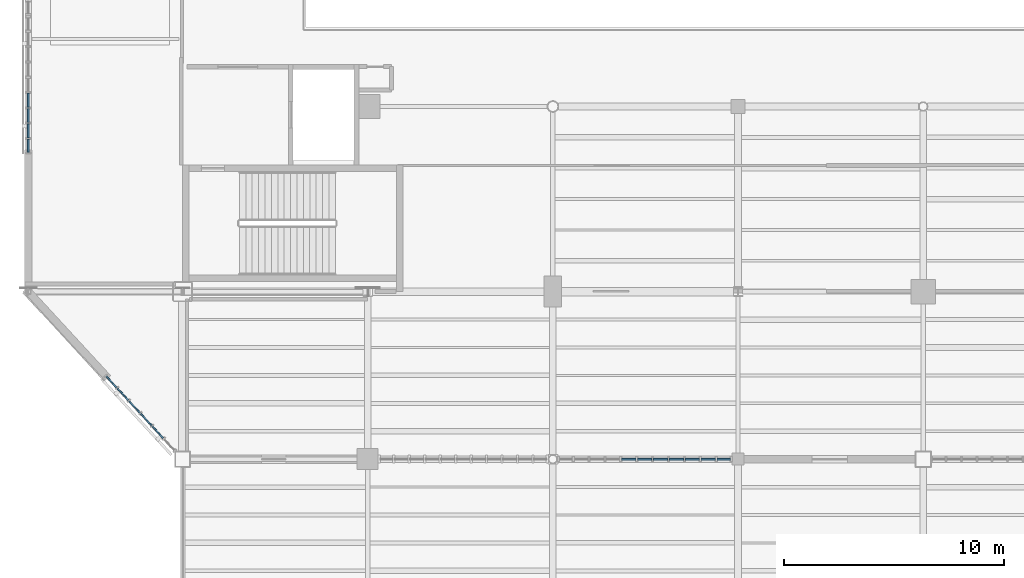
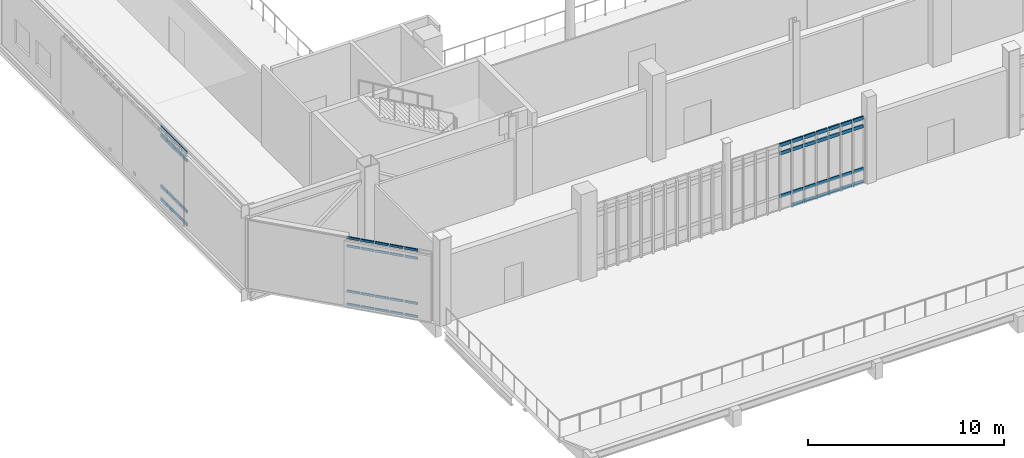
# One storey, part 46 of 127: 63 members, 3 elements without a shape of their own.
"""IFC4 building model written with IfcOpenShell, lengths in metres."""

from ifc_helpers import new_model, si_unit, direction, frame, origin, origin_2d, place, context, subcontext, project, spatial, rectangle, extrude, material, material_profile, profile_set, type_object, element, aggregate, save


model = new_model("IFC4")

# Units and contexts
model_context = context("Model", 3, precision=1e-05, world=origin(), true_north=direction((0.0, 1.0)))
body_context = subcontext(model_context, "Body", "Model", "MODEL_VIEW")
ifc_project = project(units=[si_unit("LENGTHUNIT", "METRE"), si_unit("AREAUNIT", "SQUARE_METRE"), si_unit("VOLUMEUNIT", "CUBIC_METRE"), si_unit("PLANEANGLEUNIT", "RADIAN"), si_unit("MASSUNIT", "GRAM", prefix="KILO")], contexts=[model_context])

# Site, building, storey
site_placement = place(None, origin())
site = spatial("IfcSite", under=ifc_project, at=site_placement, CompositionType="ELEMENT")
building_placement = place(site_placement, origin())
building = spatial("IfcBuilding", under=site, at=building_placement, Name="Larkvane Passage Sports Hall", CompositionType="ELEMENT")
storey_placement = place(building_placement, frame((0.0, 0.0, 5.39990234375)))
storey = spatial("IfcBuildingStorey", under=building, at=storey_placement, Name="L01", CompositionType="ELEMENT", Elevation=5.39990234375)

# Curtain wall, members
ifc_material_1 = material(Name="Thermally broken aluminium and low-E glazing", Category="aluminium")
curtain_wall_type_1 = type_object("IfcCurtainWallType", Name="CW-UNIT-COURT", PredefinedType="USERDEFINED", material=ifc_material_1)
curtain_wall_1_placement = place(storey_placement, origin())
curtain_wall_1 = element("IfcCurtainWall", 1, at=curtain_wall_1_placement, inside=storey, type_object=curtain_wall_type_1, Name="Curtain wall CW5-L01-032", ObjectType="UNITISED CURTAIN WALL", PredefinedType="USERDEFINED")
ifc_material_2 = material(Name="Anodised aluminium 6063-T6", Category="aluminium")
ifc_material_profile_1 = material_profile(ifc_material_2, rectangle(XDim=0.06494140625, YDim=0.139892578125, at=origin_2d()), Name="ALU-TRN-65x140")
ifc_profile_set_1 = profile_set([ifc_material_profile_1], Name="Anodised aluminium 6063-T6")
member_type_1 = type_object("IfcMemberType", Name="CW-TRN-65x140", PredefinedType="USERDEFINED", material=ifc_profile_set_1)
member_1_placement = place(storey_placement, frame((33.917724609375, 16.157958984375, 0.03271484375), z_axis=(-0.677456288697, 0.735563033944, 0.0), x_axis=(-0.735563033944, -0.677456288697, 0.0)))
member_1 = element("IfcMember", 2, at=member_1_placement, type_object=member_type_1, Name="CW-01 transom 2.1", ObjectType="TRANSOM", PredefinedType="USERDEFINED", context=body_context, shape_type="SweptSolid", body=[
    extrude(rectangle(XDim=0.06494140625, YDim=0.139892578125, at=origin_2d()), origin(), (0.0, 0.0, 1.0), 0.71435546875),
])
member_2_placement = place(storey_placement, frame((33.917724609375, 16.157958984375, 0.85009765625), z_axis=(-0.677456288697, 0.735563033944, 0.0), x_axis=(-0.735563033944, -0.677456288697, 0.0)))
member_2 = element("IfcMember", 3, at=member_2_placement, type_object=member_type_1, Name="CW-01 transom 2.2", ObjectType="TRANSOM", PredefinedType="USERDEFINED", context=body_context, shape_type="SweptSolid", body=[
    extrude(rectangle(XDim=0.06494140625, YDim=0.139892578125, at=origin_2d()), origin(), (0.0, 0.0, 1.0), 0.71435546875),
])
member_3_placement = place(storey_placement, frame((33.917724609375, 16.157958984375, 3.668212890625), z_axis=(-0.677456288697, 0.735563033944, 0.0), x_axis=(-0.735563033944, -0.677456288697, 0.0)))
member_3 = element("IfcMember", 4, at=member_3_placement, type_object=member_type_1, Name="CW-01 transom 2.3", ObjectType="TRANSOM", PredefinedType="USERDEFINED", context=body_context, shape_type="SweptSolid", body=[
    extrude(rectangle(XDim=0.06494140625, YDim=0.139892578125, at=origin_2d()), origin(), (0.0, 0.0, 1.0), 0.71435546875),
])
member_4_placement = place(storey_placement, frame((33.917724609375, 16.157958984375, 4.185546875), z_axis=(-0.677456288697, 0.735563033944, 0.0), x_axis=(-0.735563033944, -0.677456288697, 0.0)))
member_4 = element("IfcMember", 5, at=member_4_placement, type_object=member_type_1, Name="CW-01 transom 2.4", ObjectType="TRANSOM", PredefinedType="USERDEFINED", context=body_context, shape_type="SweptSolid", body=[
    extrude(rectangle(XDim=0.06494140625, YDim=0.139892578125, at=origin_2d()), origin(), (0.0, 0.0, 1.0), 0.71435546875),
])
member_5_placement = place(storey_placement, frame((33.389892578125, 16.731201171875, 0.03271484375), z_axis=(-0.677641158756, 0.735392724984, 0.0), x_axis=(-0.735392724984, -0.677641158756, 0.0)))
member_5 = element("IfcMember", 6, at=member_5_placement, type_object=member_type_1, Name="CW-01 transom 3.1", ObjectType="TRANSOM", PredefinedType="USERDEFINED", context=body_context, shape_type="SweptSolid", body=[
    extrude(rectangle(XDim=0.06494140625, YDim=0.139892578125, at=origin_2d()), origin(), (0.0, 0.0, 1.0), 0.71435546875),
])
member_6_placement = place(storey_placement, frame((33.389892578125, 16.731201171875, 0.85009765625), z_axis=(-0.677641158756, 0.735392724984, 0.0), x_axis=(-0.735392724984, -0.677641158756, 0.0)))
member_6 = element("IfcMember", 7, at=member_6_placement, type_object=member_type_1, Name="CW-01 transom 3.2", ObjectType="TRANSOM", PredefinedType="USERDEFINED", context=body_context, shape_type="SweptSolid", body=[
    extrude(rectangle(XDim=0.06494140625, YDim=0.139892578125, at=origin_2d()), origin(), (0.0, 0.0, 1.0), 0.71435546875),
])
member_7_placement = place(storey_placement, frame((33.389892578125, 16.731201171875, 3.668212890625), z_axis=(-0.677641158756, 0.735392724984, 0.0), x_axis=(-0.735392724984, -0.677641158756, 0.0)))
member_7 = element("IfcMember", 8, at=member_7_placement, type_object=member_type_1, Name="CW-01 transom 3.3", ObjectType="TRANSOM", PredefinedType="USERDEFINED", context=body_context, shape_type="SweptSolid", body=[
    extrude(rectangle(XDim=0.06494140625, YDim=0.139892578125, at=origin_2d()), origin(), (0.0, 0.0, 1.0), 0.71435546875),
])
member_8_placement = place(storey_placement, frame((33.389892578125, 16.731201171875, 4.185546875), z_axis=(-0.677641158756, 0.735392724984, 0.0), x_axis=(-0.735392724984, -0.677641158756, 0.0)))
member_8 = element("IfcMember", 9, at=member_8_placement, type_object=member_type_1, Name="CW-01 transom 3.4", ObjectType="TRANSOM", PredefinedType="USERDEFINED", context=body_context, shape_type="SweptSolid", body=[
    extrude(rectangle(XDim=0.06494140625, YDim=0.139892578125, at=origin_2d()), origin(), (0.0, 0.0, 1.0), 0.71435546875),
])
member_9_placement = place(storey_placement, frame((32.86181640625, 17.30419921875, 0.03271484375), z_axis=(-0.677456288697, 0.735563033944, 0.0), x_axis=(-0.735563033944, -0.677456288697, 0.0)))
member_9 = element("IfcMember", 10, at=member_9_placement, type_object=member_type_1, Name="CW-01 transom 4.1", ObjectType="TRANSOM", PredefinedType="USERDEFINED", context=body_context, shape_type="SweptSolid", body=[
    extrude(rectangle(XDim=0.06494140625, YDim=0.139892578125, at=origin_2d()), origin(), (0.0, 0.0, 1.0), 0.71435546875),
])
member_10_placement = place(storey_placement, frame((32.86181640625, 17.30419921875, 0.85009765625), z_axis=(-0.677456288697, 0.735563033944, 0.0), x_axis=(-0.735563033944, -0.677456288697, 0.0)))
member_10 = element("IfcMember", 11, at=member_10_placement, type_object=member_type_1, Name="CW-01 transom 4.2", ObjectType="TRANSOM", PredefinedType="USERDEFINED", context=body_context, shape_type="SweptSolid", body=[
    extrude(rectangle(XDim=0.06494140625, YDim=0.139892578125, at=origin_2d()), origin(), (0.0, 0.0, 1.0), 0.71435546875),
])
member_11_placement = place(storey_placement, frame((32.86181640625, 17.30419921875, 3.668212890625), z_axis=(-0.677456288697, 0.735563033944, 0.0), x_axis=(-0.735563033944, -0.677456288697, 0.0)))
member_11 = element("IfcMember", 12, at=member_11_placement, type_object=member_type_1, Name="CW-01 transom 4.3", ObjectType="TRANSOM", PredefinedType="USERDEFINED", context=body_context, shape_type="SweptSolid", body=[
    extrude(rectangle(XDim=0.06494140625, YDim=0.139892578125, at=origin_2d()), origin(), (0.0, 0.0, 1.0), 0.71435546875),
])
member_12_placement = place(storey_placement, frame((32.86181640625, 17.30419921875, 4.185546875), z_axis=(-0.677456288697, 0.735563033944, 0.0), x_axis=(-0.735563033944, -0.677456288697, 0.0)))
member_12 = element("IfcMember", 13, at=member_12_placement, type_object=member_type_1, Name="CW-01 transom 4.4", ObjectType="TRANSOM", PredefinedType="USERDEFINED", context=body_context, shape_type="SweptSolid", body=[
    extrude(rectangle(XDim=0.06494140625, YDim=0.139892578125, at=origin_2d()), origin(), (0.0, 0.0, 1.0), 0.71435546875),
])
member_13_placement = place(storey_placement, frame((32.333984375, 17.87744140625, 0.03271484375), z_axis=(-0.677641158756, 0.735392724984, 0.0), x_axis=(-0.735392724984, -0.677641158756, 0.0)))
member_13 = element("IfcMember", 14, at=member_13_placement, type_object=member_type_1, Name="CW-01 transom 5.1", ObjectType="TRANSOM", PredefinedType="USERDEFINED", context=body_context, shape_type="SweptSolid", body=[
    extrude(rectangle(XDim=0.06494140625, YDim=0.139892578125, at=origin_2d()), origin(), (0.0, 0.0, 1.0), 0.71435546875),
])
member_14_placement = place(storey_placement, frame((32.333984375, 17.87744140625, 0.85009765625), z_axis=(-0.677641158756, 0.735392724984, 0.0), x_axis=(-0.735392724984, -0.677641158756, 0.0)))
member_14 = element("IfcMember", 15, at=member_14_placement, type_object=member_type_1, Name="CW-01 transom 5.2", ObjectType="TRANSOM", PredefinedType="USERDEFINED", context=body_context, shape_type="SweptSolid", body=[
    extrude(rectangle(XDim=0.06494140625, YDim=0.139892578125, at=origin_2d()), origin(), (0.0, 0.0, 1.0), 0.71435546875),
])
member_15_placement = place(storey_placement, frame((32.333984375, 17.87744140625, 3.668212890625), z_axis=(-0.677641158756, 0.735392724984, 0.0), x_axis=(-0.735392724984, -0.677641158756, 0.0)))
member_15 = element("IfcMember", 16, at=member_15_placement, type_object=member_type_1, Name="CW-01 transom 5.3", ObjectType="TRANSOM", PredefinedType="USERDEFINED", context=body_context, shape_type="SweptSolid", body=[
    extrude(rectangle(XDim=0.06494140625, YDim=0.139892578125, at=origin_2d()), origin(), (0.0, 0.0, 1.0), 0.71435546875),
])
member_16_placement = place(storey_placement, frame((32.333984375, 17.87744140625, 4.185546875), z_axis=(-0.677641158756, 0.735392724984, 0.0), x_axis=(-0.735392724984, -0.677641158756, 0.0)))
member_16 = element("IfcMember", 17, at=member_16_placement, type_object=member_type_1, Name="CW-01 transom 5.4", ObjectType="TRANSOM", PredefinedType="USERDEFINED", context=body_context, shape_type="SweptSolid", body=[
    extrude(rectangle(XDim=0.06494140625, YDim=0.139892578125, at=origin_2d()), origin(), (0.0, 0.0, 1.0), 0.71435546875),
])
member_17_placement = place(storey_placement, frame((31.805908203125, 18.45068359375, 0.03271484375), z_axis=(-0.677506344098, 0.735516929586, 0.0), x_axis=(-0.735516929586, -0.677506344098, 0.0)))
member_17 = element("IfcMember", 18, at=member_17_placement, type_object=member_type_1, Name="CW-01 transom 6.1", ObjectType="TRANSOM", PredefinedType="USERDEFINED", context=body_context, shape_type="SweptSolid", body=[
    extrude(rectangle(XDim=0.06494140625, YDim=0.139892578125, at=origin_2d()), origin(), (0.0, 0.0, 1.0), 0.681884765625),
])
member_18_placement = place(storey_placement, frame((31.805908203125, 18.45068359375, 0.85009765625), z_axis=(-0.677506344098, 0.735516929586, 0.0), x_axis=(-0.735516929586, -0.677506344098, 0.0)))
member_18 = element("IfcMember", 19, at=member_18_placement, type_object=member_type_1, Name="CW-01 transom 6.2", ObjectType="TRANSOM", PredefinedType="USERDEFINED", context=body_context, shape_type="SweptSolid", body=[
    extrude(rectangle(XDim=0.06494140625, YDim=0.139892578125, at=origin_2d()), origin(), (0.0, 0.0, 1.0), 0.681884765625),
])
member_19_placement = place(storey_placement, frame((31.805908203125, 18.45068359375, 3.668212890625), z_axis=(-0.677506344098, 0.735516929586, 0.0), x_axis=(-0.735516929586, -0.677506344098, 0.0)))
member_19 = element("IfcMember", 20, at=member_19_placement, type_object=member_type_1, Name="CW-01 transom 6.3", ObjectType="TRANSOM", PredefinedType="USERDEFINED", context=body_context, shape_type="SweptSolid", body=[
    extrude(rectangle(XDim=0.06494140625, YDim=0.139892578125, at=origin_2d()), origin(), (0.0, 0.0, 1.0), 0.681884765625),
])
member_20_placement = place(storey_placement, frame((31.805908203125, 18.45068359375, 4.185546875), z_axis=(-0.677506344098, 0.735516929586, 0.0), x_axis=(-0.735516929586, -0.677506344098, 0.0)))
member_20 = element("IfcMember", 21, at=member_20_placement, type_object=member_type_1, Name="CW-01 transom 6.4", ObjectType="TRANSOM", PredefinedType="USERDEFINED", context=body_context, shape_type="SweptSolid", body=[
    extrude(rectangle(XDim=0.06494140625, YDim=0.139892578125, at=origin_2d()), origin(), (0.0, 0.0, 1.0), 0.681884765625),
])
aggregate(curtain_wall_1, [member_1, member_2, member_3, member_4, member_5, member_6, member_7, member_8, member_9, member_10, member_11, member_12, member_13, member_14, member_15, member_16, member_17, member_18, member_19, member_20])

curtain_wall_type_2 = type_object("IfcCurtainWallType", Name="CW-UNIT-VEIL", PredefinedType="USERDEFINED", material=ifc_material_1)
curtain_wall_2_placement = place(storey_placement, origin())
curtain_wall_2 = element("IfcCurtainWall", 22, at=curtain_wall_2_placement, inside=storey, type_object=curtain_wall_type_2, Name="Curtain wall CW5-L01-033", ObjectType="UNITISED CURTAIN WALL", PredefinedType="USERDEFINED")
ifc_material_profile_2 = material_profile(ifc_material_2, rectangle(XDim=0.074951171875, YDim=0.18505859375, at=origin_2d()), Name="ALU-TRN-75x185")
ifc_profile_set_2 = profile_set([ifc_material_profile_2], Name="Anodised aluminium 6063-T6")
member_type_2 = type_object("IfcMemberType", Name="CW-TRN-75x185", PredefinedType="USERDEFINED", material=ifc_profile_set_2)
member_21_placement = place(storey_placement, frame((27.800048828125, 29.12939453125, 0.03759765625), z_axis=(0.0, 1.0, 0.0), x_axis=(-1.0, 0.0, 0.0)))
member_21 = element("IfcMember", 23, at=member_21_placement, type_object=member_type_2, Name="CW-02 transom 1.1", ObjectType="TRANSOM", PredefinedType="USERDEFINED", context=body_context, shape_type="SweptSolid", body=[
    extrude(rectangle(XDim=0.074951171875, YDim=0.18505859375, at=origin_2d()), origin(), (0.0, 0.0, 1.0), 0.58251953125),
])
member_22_placement = place(storey_placement, frame((27.800048828125, 29.12939453125, 0.85009765625), z_axis=(0.0, 1.0, 0.0), x_axis=(-1.0, 0.0, 0.0)))
member_22 = element("IfcMember", 24, at=member_22_placement, type_object=member_type_2, Name="CW-02 transom 1.2", ObjectType="TRANSOM", PredefinedType="USERDEFINED", context=body_context, shape_type="SweptSolid", body=[
    extrude(rectangle(XDim=0.074951171875, YDim=0.18505859375, at=origin_2d()), origin(), (0.0, 0.0, 1.0), 0.58251953125),
])
member_23_placement = place(storey_placement, frame((27.800048828125, 29.12939453125, 4.028076171875), z_axis=(0.0, 1.0, 0.0), x_axis=(-1.0, 0.0, 0.0)))
member_23 = element("IfcMember", 25, at=member_23_placement, type_object=member_type_2, Name="CW-02 transom 1.3", ObjectType="TRANSOM", PredefinedType="USERDEFINED", context=body_context, shape_type="SweptSolid", body=[
    extrude(rectangle(XDim=0.074951171875, YDim=0.18505859375, at=origin_2d()), origin(), (0.0, 0.0, 1.0), 0.58251953125),
])
member_24_placement = place(storey_placement, frame((27.800048828125, 29.12939453125, 4.54052734375), z_axis=(0.0, 1.0, 0.0), x_axis=(-1.0, 0.0, 0.0)))
member_24 = element("IfcMember", 26, at=member_24_placement, type_object=member_type_2, Name="CW-02 transom 1.4", ObjectType="TRANSOM", PredefinedType="USERDEFINED", context=body_context, shape_type="SweptSolid", body=[
    extrude(rectangle(XDim=0.074951171875, YDim=0.18505859375, at=origin_2d()), origin(), (0.0, 0.0, 1.0), 0.58251953125),
])
member_25_placement = place(storey_placement, frame((27.800048828125, 29.786865234375, 0.03759765625), z_axis=(0.0, 1.0, 0.0), x_axis=(-1.0, 0.0, 0.0)))
member_25 = element("IfcMember", 27, at=member_25_placement, type_object=member_type_2, Name="CW-02 transom 2.1", ObjectType="TRANSOM", PredefinedType="USERDEFINED", context=body_context, shape_type="SweptSolid", body=[
    extrude(rectangle(XDim=0.074951171875, YDim=0.18505859375, at=origin_2d()), origin(), (0.0, 0.0, 1.0), 0.6201171875),
])
member_26_placement = place(storey_placement, frame((27.800048828125, 29.786865234375, 0.85009765625), z_axis=(0.0, 1.0, 0.0), x_axis=(-1.0, 0.0, 0.0)))
member_26 = element("IfcMember", 28, at=member_26_placement, type_object=member_type_2, Name="CW-02 transom 2.2", ObjectType="TRANSOM", PredefinedType="USERDEFINED", context=body_context, shape_type="SweptSolid", body=[
    extrude(rectangle(XDim=0.074951171875, YDim=0.18505859375, at=origin_2d()), origin(), (0.0, 0.0, 1.0), 0.6201171875),
])
member_27_placement = place(storey_placement, frame((27.800048828125, 29.786865234375, 4.028076171875), z_axis=(0.0, 1.0, 0.0), x_axis=(-1.0, 0.0, 0.0)))
member_27 = element("IfcMember", 29, at=member_27_placement, type_object=member_type_2, Name="CW-02 transom 2.3", ObjectType="TRANSOM", PredefinedType="USERDEFINED", context=body_context, shape_type="SweptSolid", body=[
    extrude(rectangle(XDim=0.074951171875, YDim=0.18505859375, at=origin_2d()), origin(), (0.0, 0.0, 1.0), 0.6201171875),
])
member_28_placement = place(storey_placement, frame((27.800048828125, 29.786865234375, 4.54052734375), z_axis=(0.0, 1.0, 0.0), x_axis=(-1.0, 0.0, 0.0)))
member_28 = element("IfcMember", 30, at=member_28_placement, type_object=member_type_2, Name="CW-02 transom 2.4", ObjectType="TRANSOM", PredefinedType="USERDEFINED", context=body_context, shape_type="SweptSolid", body=[
    extrude(rectangle(XDim=0.074951171875, YDim=0.18505859375, at=origin_2d()), origin(), (0.0, 0.0, 1.0), 0.6201171875),
])
member_29_placement = place(storey_placement, frame((27.800048828125, 30.48193359375, 0.03759765625), z_axis=(0.0, 1.0, 0.0), x_axis=(-1.0, 0.0, 0.0)))
member_29 = element("IfcMember", 31, at=member_29_placement, type_object=member_type_2, Name="CW-02 transom 3.1", ObjectType="TRANSOM", PredefinedType="USERDEFINED", context=body_context, shape_type="SweptSolid", body=[
    extrude(rectangle(XDim=0.074951171875, YDim=0.18505859375, at=origin_2d()), origin(), (0.0, 0.0, 1.0), 0.619873046875),
])
member_30_placement = place(storey_placement, frame((27.800048828125, 30.48193359375, 0.85009765625), z_axis=(0.0, 1.0, 0.0), x_axis=(-1.0, 0.0, 0.0)))
member_30 = element("IfcMember", 32, at=member_30_placement, type_object=member_type_2, Name="CW-02 transom 3.2", ObjectType="TRANSOM", PredefinedType="USERDEFINED", context=body_context, shape_type="SweptSolid", body=[
    extrude(rectangle(XDim=0.074951171875, YDim=0.18505859375, at=origin_2d()), origin(), (0.0, 0.0, 1.0), 0.619873046875),
])
member_31_placement = place(storey_placement, frame((27.800048828125, 30.48193359375, 4.028076171875), z_axis=(0.0, 1.0, 0.0), x_axis=(-1.0, 0.0, 0.0)))
member_31 = element("IfcMember", 33, at=member_31_placement, type_object=member_type_2, Name="CW-02 transom 3.3", ObjectType="TRANSOM", PredefinedType="USERDEFINED", context=body_context, shape_type="SweptSolid", body=[
    extrude(rectangle(XDim=0.074951171875, YDim=0.18505859375, at=origin_2d()), origin(), (0.0, 0.0, 1.0), 0.619873046875),
])
member_32_placement = place(storey_placement, frame((27.800048828125, 30.48193359375, 4.54052734375), z_axis=(0.0, 1.0, 0.0), x_axis=(-1.0, 0.0, 0.0)))
member_32 = element("IfcMember", 34, at=member_32_placement, type_object=member_type_2, Name="CW-02 transom 3.4", ObjectType="TRANSOM", PredefinedType="USERDEFINED", context=body_context, shape_type="SweptSolid", body=[
    extrude(rectangle(XDim=0.074951171875, YDim=0.18505859375, at=origin_2d()), origin(), (0.0, 0.0, 1.0), 0.619873046875),
])
member_33_placement = place(storey_placement, frame((27.800048828125, 31.1767578125, 0.03759765625), z_axis=(0.0, 1.0, 0.0), x_axis=(-1.0, 0.0, 0.0)))
member_33 = element("IfcMember", 35, at=member_33_placement, type_object=member_type_2, Name="CW-02 transom 4.1", ObjectType="TRANSOM", PredefinedType="USERDEFINED", context=body_context, shape_type="SweptSolid", body=[
    extrude(rectangle(XDim=0.074951171875, YDim=0.18505859375, at=origin_2d()), origin(), (0.0, 0.0, 1.0), 0.6201171875),
])
member_34_placement = place(storey_placement, frame((27.800048828125, 31.1767578125, 0.85009765625), z_axis=(0.0, 1.0, 0.0), x_axis=(-1.0, 0.0, 0.0)))
member_34 = element("IfcMember", 36, at=member_34_placement, type_object=member_type_2, Name="CW-02 transom 4.2", ObjectType="TRANSOM", PredefinedType="USERDEFINED", context=body_context, shape_type="SweptSolid", body=[
    extrude(rectangle(XDim=0.074951171875, YDim=0.18505859375, at=origin_2d()), origin(), (0.0, 0.0, 1.0), 0.6201171875),
])
member_35_placement = place(storey_placement, frame((27.800048828125, 31.1767578125, 4.028076171875), z_axis=(0.0, 1.0, 0.0), x_axis=(-1.0, 0.0, 0.0)))
member_35 = element("IfcMember", 37, at=member_35_placement, type_object=member_type_2, Name="CW-02 transom 4.3", ObjectType="TRANSOM", PredefinedType="USERDEFINED", context=body_context, shape_type="SweptSolid", body=[
    extrude(rectangle(XDim=0.074951171875, YDim=0.18505859375, at=origin_2d()), origin(), (0.0, 0.0, 1.0), 0.6201171875),
])
member_36_placement = place(storey_placement, frame((27.800048828125, 31.1767578125, 4.54052734375), z_axis=(0.0, 1.0, 0.0), x_axis=(-1.0, 0.0, 0.0)))
member_36 = element("IfcMember", 38, at=member_36_placement, type_object=member_type_2, Name="CW-02 transom 4.4", ObjectType="TRANSOM", PredefinedType="USERDEFINED", context=body_context, shape_type="SweptSolid", body=[
    extrude(rectangle(XDim=0.074951171875, YDim=0.18505859375, at=origin_2d()), origin(), (0.0, 0.0, 1.0), 0.6201171875),
])
aggregate(curtain_wall_2, [member_21, member_22, member_23, member_24, member_25, member_26, member_27, member_28, member_29, member_30, member_31, member_32, member_33, member_34, member_35, member_36])

curtain_wall_type_3 = type_object("IfcCurtainWallType", Name="CW-STICK-FOYER", PredefinedType="USERDEFINED", material=ifc_material_1)
curtain_wall_3_placement = place(storey_placement, origin())
curtain_wall_3 = element("IfcCurtainWall", 39, at=curtain_wall_3_placement, inside=storey, type_object=curtain_wall_type_3, Name="Curtain wall CW5-L01-030", ObjectType="STICK CURTAIN WALL", PredefinedType="USERDEFINED")
ifc_material_profile_3 = material_profile(ifc_material_2, rectangle(XDim=0.080078125, YDim=0.2099609375, at=origin_2d()), Name="ALU-TRN-80x210")
ifc_profile_set_3 = profile_set([ifc_material_profile_3], Name="Anodised aluminium 6063-T6")
member_type_3 = type_object("IfcMemberType", Name="CW-TRN-80x210", PredefinedType="USERDEFINED", material=ifc_profile_set_3)
member_37_placement = place(storey_placement, frame((59.64892578125, 15.199951171875, 0.0400390625), z_axis=(-1.0, 0.0, 0.0), x_axis=(0.0, -1.0, 0.0)))
member_37 = element("IfcMember", 40, at=member_37_placement, type_object=member_type_3, Name="CW-03 transom 1.1", ObjectType="TRANSOM", PredefinedType="USERDEFINED", context=body_context, shape_type="SweptSolid", body=[
    extrude(rectangle(XDim=0.080078125, YDim=0.2099609375, at=origin_2d()), origin(), (0.0, 0.0, 1.0), 0.600830078125),
])
member_38_placement = place(storey_placement, frame((59.64892578125, 15.199951171875, 0.85009765625), z_axis=(-1.0, 0.0, 0.0), x_axis=(0.0, -1.0, 0.0)))
member_38 = element("IfcMember", 41, at=member_38_placement, type_object=member_type_3, Name="CW-03 transom 1.2", ObjectType="TRANSOM", PredefinedType="USERDEFINED", context=body_context, shape_type="SweptSolid", body=[
    extrude(rectangle(XDim=0.080078125, YDim=0.2099609375, at=origin_2d()), origin(), (0.0, 0.0, 1.0), 0.600830078125),
])
member_39_placement = place(storey_placement, frame((59.64892578125, 15.199951171875, 3.51806640625), z_axis=(-1.0, 0.0, 0.0), x_axis=(0.0, -1.0, 0.0)))
member_39 = element("IfcMember", 42, at=member_39_placement, type_object=member_type_3, Name="CW-03 transom 1.3", ObjectType="TRANSOM", PredefinedType="USERDEFINED", context=body_context, shape_type="SweptSolid", body=[
    extrude(rectangle(XDim=0.080078125, YDim=0.2099609375, at=origin_2d()), origin(), (0.0, 0.0, 1.0), 0.600830078125),
])
member_40_placement = place(storey_placement, frame((59.64892578125, 15.199951171875, 4.028076171875), z_axis=(-1.0, 0.0, 0.0), x_axis=(0.0, -1.0, 0.0)))
member_40 = element("IfcMember", 43, at=member_40_placement, type_object=member_type_3, Name="CW-03 transom 1.4", ObjectType="TRANSOM", PredefinedType="USERDEFINED", context=body_context, shape_type="SweptSolid", body=[
    extrude(rectangle(XDim=0.080078125, YDim=0.2099609375, at=origin_2d()), origin(), (0.0, 0.0, 1.0), 0.600830078125),
])
member_41_placement = place(storey_placement, frame((58.968017578125, 15.199951171875, 0.0400390625), z_axis=(-1.0, 0.0, 0.0), x_axis=(0.0, -1.0, 0.0)))
member_41 = element("IfcMember", 44, at=member_41_placement, type_object=member_type_3, Name="CW-03 transom 2.1", ObjectType="TRANSOM", PredefinedType="USERDEFINED", context=body_context, shape_type="SweptSolid", body=[
    extrude(rectangle(XDim=0.080078125, YDim=0.2099609375, at=origin_2d()), origin(), (0.0, 0.0, 1.0), 0.640869140625),
])
member_42_placement = place(storey_placement, frame((58.968017578125, 15.199951171875, 0.85009765625), z_axis=(-1.0, 0.0, 0.0), x_axis=(0.0, -1.0, 0.0)))
member_42 = element("IfcMember", 45, at=member_42_placement, type_object=member_type_3, Name="CW-03 transom 2.2", ObjectType="TRANSOM", PredefinedType="USERDEFINED", context=body_context, shape_type="SweptSolid", body=[
    extrude(rectangle(XDim=0.080078125, YDim=0.2099609375, at=origin_2d()), origin(), (0.0, 0.0, 1.0), 0.640869140625),
])
member_43_placement = place(storey_placement, frame((58.968017578125, 15.199951171875, 3.51806640625), z_axis=(-1.0, 0.0, 0.0), x_axis=(0.0, -1.0, 0.0)))
member_43 = element("IfcMember", 46, at=member_43_placement, type_object=member_type_3, Name="CW-03 transom 2.3", ObjectType="TRANSOM", PredefinedType="USERDEFINED", context=body_context, shape_type="SweptSolid", body=[
    extrude(rectangle(XDim=0.080078125, YDim=0.2099609375, at=origin_2d()), origin(), (0.0, 0.0, 1.0), 0.640869140625),
])
member_44_placement = place(storey_placement, frame((58.968017578125, 15.199951171875, 4.028076171875), z_axis=(-1.0, 0.0, 0.0), x_axis=(0.0, -1.0, 0.0)))
member_44 = element("IfcMember", 47, at=member_44_placement, type_object=member_type_3, Name="CW-03 transom 2.4", ObjectType="TRANSOM", PredefinedType="USERDEFINED", context=body_context, shape_type="SweptSolid", body=[
    extrude(rectangle(XDim=0.080078125, YDim=0.2099609375, at=origin_2d()), origin(), (0.0, 0.0, 1.0), 0.640869140625),
])
member_45_placement = place(storey_placement, frame((58.247314453125, 15.199951171875, 0.0400390625), z_axis=(-1.0, 0.0, 0.0), x_axis=(0.0, -1.0, 0.0)))
member_45 = element("IfcMember", 48, at=member_45_placement, type_object=member_type_3, Name="CW-03 transom 3.1", ObjectType="TRANSOM", PredefinedType="USERDEFINED", context=body_context, shape_type="SweptSolid", body=[
    extrude(rectangle(XDim=0.080078125, YDim=0.2099609375, at=origin_2d()), origin(), (0.0, 0.0, 1.0), 0.640869140625),
])
member_46_placement = place(storey_placement, frame((58.247314453125, 15.199951171875, 0.85009765625), z_axis=(-1.0, 0.0, 0.0), x_axis=(0.0, -1.0, 0.0)))
member_46 = element("IfcMember", 49, at=member_46_placement, type_object=member_type_3, Name="CW-03 transom 3.2", ObjectType="TRANSOM", PredefinedType="USERDEFINED", context=body_context, shape_type="SweptSolid", body=[
    extrude(rectangle(XDim=0.080078125, YDim=0.2099609375, at=origin_2d()), origin(), (0.0, 0.0, 1.0), 0.640869140625),
])
member_47_placement = place(storey_placement, frame((58.247314453125, 15.199951171875, 3.51806640625), z_axis=(-1.0, 0.0, 0.0), x_axis=(0.0, -1.0, 0.0)))
member_47 = element("IfcMember", 50, at=member_47_placement, type_object=member_type_3, Name="CW-03 transom 3.3", ObjectType="TRANSOM", PredefinedType="USERDEFINED", context=body_context, shape_type="SweptSolid", body=[
    extrude(rectangle(XDim=0.080078125, YDim=0.2099609375, at=origin_2d()), origin(), (0.0, 0.0, 1.0), 0.640869140625),
])
member_48_placement = place(storey_placement, frame((58.247314453125, 15.199951171875, 4.028076171875), z_axis=(-1.0, 0.0, 0.0), x_axis=(0.0, -1.0, 0.0)))
member_48 = element("IfcMember", 51, at=member_48_placement, type_object=member_type_3, Name="CW-03 transom 3.4", ObjectType="TRANSOM", PredefinedType="USERDEFINED", context=body_context, shape_type="SweptSolid", body=[
    extrude(rectangle(XDim=0.080078125, YDim=0.2099609375, at=origin_2d()), origin(), (0.0, 0.0, 1.0), 0.640869140625),
])
member_49_placement = place(storey_placement, frame((57.5263671875, 15.199951171875, 0.0400390625), z_axis=(-1.0, 0.0, 0.0), x_axis=(0.0, -1.0, 0.0)))
member_49 = element("IfcMember", 52, at=member_49_placement, type_object=member_type_3, Name="CW-03 transom 4.1", ObjectType="TRANSOM", PredefinedType="USERDEFINED", context=body_context, shape_type="SweptSolid", body=[
    extrude(rectangle(XDim=0.080078125, YDim=0.2099609375, at=origin_2d()), origin(), (0.0, 0.0, 1.0), 0.640869140625),
])
member_50_placement = place(storey_placement, frame((57.5263671875, 15.199951171875, 0.85009765625), z_axis=(-1.0, 0.0, 0.0), x_axis=(0.0, -1.0, 0.0)))
member_50 = element("IfcMember", 53, at=member_50_placement, type_object=member_type_3, Name="CW-03 transom 4.2", ObjectType="TRANSOM", PredefinedType="USERDEFINED", context=body_context, shape_type="SweptSolid", body=[
    extrude(rectangle(XDim=0.080078125, YDim=0.2099609375, at=origin_2d()), origin(), (0.0, 0.0, 1.0), 0.640869140625),
])
member_51_placement = place(storey_placement, frame((57.5263671875, 15.199951171875, 3.51806640625), z_axis=(-1.0, 0.0, 0.0), x_axis=(0.0, -1.0, 0.0)))
member_51 = element("IfcMember", 54, at=member_51_placement, type_object=member_type_3, Name="CW-03 transom 4.3", ObjectType="TRANSOM", PredefinedType="USERDEFINED", context=body_context, shape_type="SweptSolid", body=[
    extrude(rectangle(XDim=0.080078125, YDim=0.2099609375, at=origin_2d()), origin(), (0.0, 0.0, 1.0), 0.640869140625),
])
member_52_placement = place(storey_placement, frame((57.5263671875, 15.199951171875, 4.028076171875), z_axis=(-1.0, 0.0, 0.0), x_axis=(0.0, -1.0, 0.0)))
member_52 = element("IfcMember", 55, at=member_52_placement, type_object=member_type_3, Name="CW-03 transom 4.4", ObjectType="TRANSOM", PredefinedType="USERDEFINED", context=body_context, shape_type="SweptSolid", body=[
    extrude(rectangle(XDim=0.080078125, YDim=0.2099609375, at=origin_2d()), origin(), (0.0, 0.0, 1.0), 0.640869140625),
])
member_53_placement = place(storey_placement, frame((56.805419921875, 15.199951171875, 0.0400390625), z_axis=(-1.0, 0.0, 0.0), x_axis=(0.0, -1.0, 0.0)))
member_53 = element("IfcMember", 56, at=member_53_placement, type_object=member_type_3, Name="CW-03 transom 5.1", ObjectType="TRANSOM", PredefinedType="USERDEFINED", context=body_context, shape_type="SweptSolid", body=[
    extrude(rectangle(XDim=0.080078125, YDim=0.2099609375, at=origin_2d()), origin(), (0.0, 0.0, 1.0), 0.640869140625),
])
member_54_placement = place(storey_placement, frame((56.805419921875, 15.199951171875, 0.85009765625), z_axis=(-1.0, 0.0, 0.0), x_axis=(0.0, -1.0, 0.0)))
member_54 = element("IfcMember", 57, at=member_54_placement, type_object=member_type_3, Name="CW-03 transom 5.2", ObjectType="TRANSOM", PredefinedType="USERDEFINED", context=body_context, shape_type="SweptSolid", body=[
    extrude(rectangle(XDim=0.080078125, YDim=0.2099609375, at=origin_2d()), origin(), (0.0, 0.0, 1.0), 0.640869140625),
])
member_55_placement = place(storey_placement, frame((56.805419921875, 15.199951171875, 3.51806640625), z_axis=(-1.0, 0.0, 0.0), x_axis=(0.0, -1.0, 0.0)))
member_55 = element("IfcMember", 58, at=member_55_placement, type_object=member_type_3, Name="CW-03 transom 5.3", ObjectType="TRANSOM", PredefinedType="USERDEFINED", context=body_context, shape_type="SweptSolid", body=[
    extrude(rectangle(XDim=0.080078125, YDim=0.2099609375, at=origin_2d()), origin(), (0.0, 0.0, 1.0), 0.640869140625),
])
member_56_placement = place(storey_placement, frame((56.805419921875, 15.199951171875, 4.028076171875), z_axis=(-1.0, 0.0, 0.0), x_axis=(0.0, -1.0, 0.0)))
member_56 = element("IfcMember", 59, at=member_56_placement, type_object=member_type_3, Name="CW-03 transom 5.4", ObjectType="TRANSOM", PredefinedType="USERDEFINED", context=body_context, shape_type="SweptSolid", body=[
    extrude(rectangle(XDim=0.080078125, YDim=0.2099609375, at=origin_2d()), origin(), (0.0, 0.0, 1.0), 0.640869140625),
])
member_57_placement = place(storey_placement, frame((56.08447265625, 15.199951171875, 0.0400390625), z_axis=(-1.0, 0.0, 0.0), x_axis=(0.0, -1.0, 0.0)))
member_57 = element("IfcMember", 60, at=member_57_placement, type_object=member_type_3, Name="CW-03 transom 6.1", ObjectType="TRANSOM", PredefinedType="USERDEFINED", context=body_context, shape_type="SweptSolid", body=[
    extrude(rectangle(XDim=0.080078125, YDim=0.2099609375, at=origin_2d()), origin(), (0.0, 0.0, 1.0), 0.640869140625),
])
member_58_placement = place(storey_placement, frame((56.08447265625, 15.199951171875, 0.85009765625), z_axis=(-1.0, 0.0, 0.0), x_axis=(0.0, -1.0, 0.0)))
member_58 = element("IfcMember", 61, at=member_58_placement, type_object=member_type_3, Name="CW-03 transom 6.2", ObjectType="TRANSOM", PredefinedType="USERDEFINED", context=body_context, shape_type="SweptSolid", body=[
    extrude(rectangle(XDim=0.080078125, YDim=0.2099609375, at=origin_2d()), origin(), (0.0, 0.0, 1.0), 0.640869140625),
])
member_59_placement = place(storey_placement, frame((56.08447265625, 15.199951171875, 3.51806640625), z_axis=(-1.0, 0.0, 0.0), x_axis=(0.0, -1.0, 0.0)))
member_59 = element("IfcMember", 62, at=member_59_placement, type_object=member_type_3, Name="CW-03 transom 6.3", ObjectType="TRANSOM", PredefinedType="USERDEFINED", context=body_context, shape_type="SweptSolid", body=[
    extrude(rectangle(XDim=0.080078125, YDim=0.2099609375, at=origin_2d()), origin(), (0.0, 0.0, 1.0), 0.640869140625),
])
member_60_placement = place(storey_placement, frame((56.08447265625, 15.199951171875, 4.028076171875), z_axis=(-1.0, 0.0, 0.0), x_axis=(0.0, -1.0, 0.0)))
member_60 = element("IfcMember", 63, at=member_60_placement, type_object=member_type_3, Name="CW-03 transom 6.4", ObjectType="TRANSOM", PredefinedType="USERDEFINED", context=body_context, shape_type="SweptSolid", body=[
    extrude(rectangle(XDim=0.080078125, YDim=0.2099609375, at=origin_2d()), origin(), (0.0, 0.0, 1.0), 0.640869140625),
])
member_61_placement = place(storey_placement, frame((55.36376953125, 15.199951171875, 0.85009765625), z_axis=(-1.0, 0.0, 0.0), x_axis=(0.0, -1.0, 0.0)))
member_61 = element("IfcMember", 64, at=member_61_placement, type_object=member_type_3, Name="CW-03 transom 7.2", ObjectType="TRANSOM", PredefinedType="USERDEFINED", context=body_context, shape_type="SweptSolid", body=[
    extrude(rectangle(XDim=0.080078125, YDim=0.2099609375, at=origin_2d()), origin(), (0.0, 0.0, 1.0), 0.64111328125),
])
member_62_placement = place(storey_placement, frame((55.36376953125, 15.199951171875, 3.51806640625), z_axis=(-1.0, 0.0, 0.0), x_axis=(0.0, -1.0, 0.0)))
member_62 = element("IfcMember", 65, at=member_62_placement, type_object=member_type_3, Name="CW-03 transom 7.3", ObjectType="TRANSOM", PredefinedType="USERDEFINED", context=body_context, shape_type="SweptSolid", body=[
    extrude(rectangle(XDim=0.080078125, YDim=0.2099609375, at=origin_2d()), origin(), (0.0, 0.0, 1.0), 0.64111328125),
])
member_63_placement = place(storey_placement, frame((55.36376953125, 15.199951171875, 4.028076171875), z_axis=(-1.0, 0.0, 0.0), x_axis=(0.0, -1.0, 0.0)))
member_63 = element("IfcMember", 66, at=member_63_placement, type_object=member_type_3, Name="CW-03 transom 7.4", ObjectType="TRANSOM", PredefinedType="USERDEFINED", context=body_context, shape_type="SweptSolid", body=[
    extrude(rectangle(XDim=0.080078125, YDim=0.2099609375, at=origin_2d()), origin(), (0.0, 0.0, 1.0), 0.64111328125),
])
aggregate(curtain_wall_3, [member_37, member_38, member_39, member_40, member_41, member_42, member_43, member_44, member_45, member_46, member_47, member_48, member_49, member_50, member_51, member_52, member_53, member_54, member_55, member_56, member_57, member_58, member_59, member_60, member_61, member_62, member_63])

save(model, "model.ifc")
